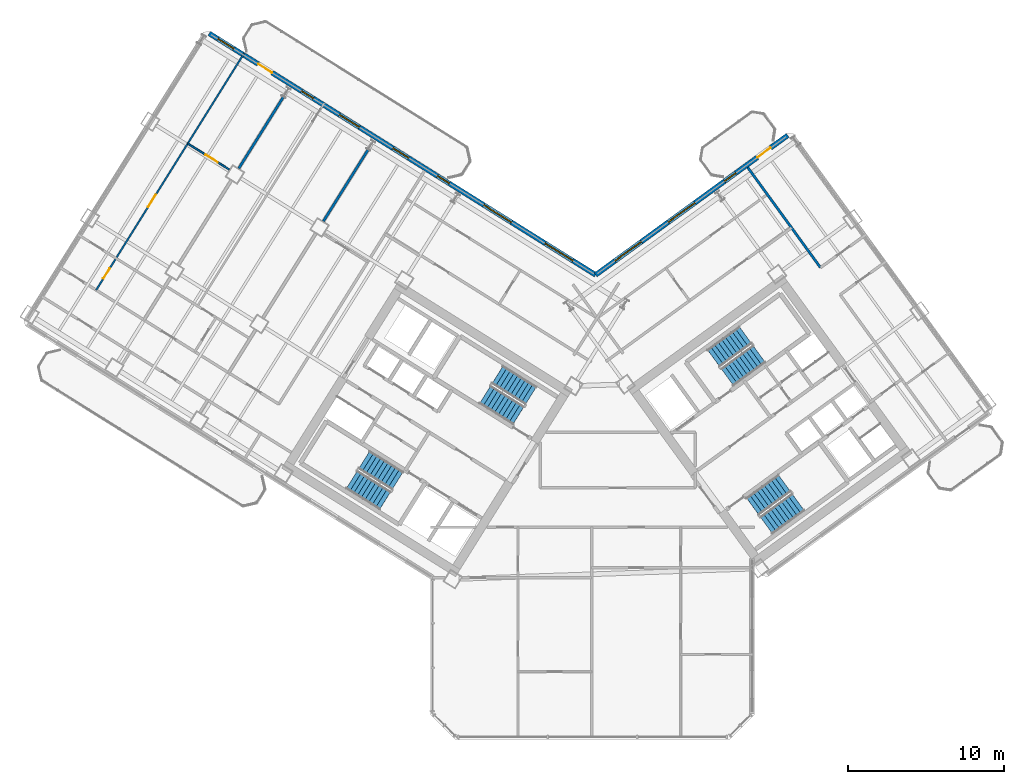
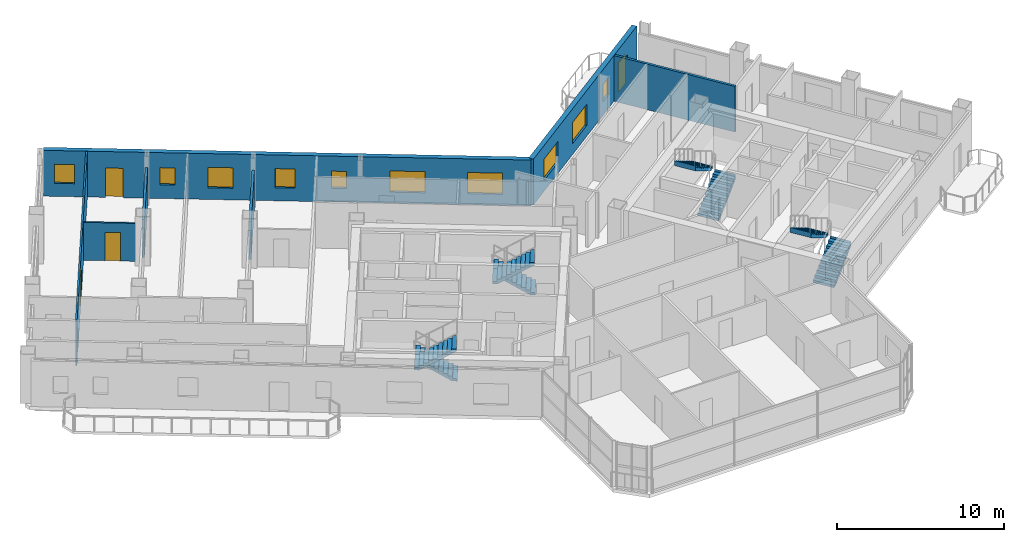
# One storey, part 16 of 21: 10 windows, 8 stair flights, 7 walls, 5 doors, 15 openings, 4 elements without a shape of their own.
"""IFC4 building model written with IfcOpenShell, lengths in metres."""

from ifc_helpers import new_model, si_unit, direction, frame, frame_2d, origin, place, context, subcontext, project, spatial, polyline, rectangle, outline, extrude, source, transform, mapped, material, layer, layer_set, type_object, element, fill, aggregate, save


model = new_model("IFC4")

# Units and contexts
model_context = context("Model", 3, precision=1e-05, world=origin(), true_north=direction((0.0, 1.0)))
body_context = subcontext(model_context, "Body", "Model", "MODEL_VIEW")
ifc_project = project(units=[si_unit("LENGTHUNIT", "METRE"), si_unit("AREAUNIT", "SQUARE_METRE"), si_unit("VOLUMEUNIT", "CUBIC_METRE"), si_unit("PLANEANGLEUNIT", "RADIAN"), si_unit("MASSUNIT", "GRAM", prefix="KILO")], contexts=[model_context])

# Site, building, storey
site_placement = place(None, origin())
site = spatial("IfcSite", under=ifc_project, at=site_placement, CompositionType="ELEMENT")
building_placement = place(site_placement, origin())
building = spatial("IfcBuilding", under=site, at=building_placement, Name="Tlacorven Tower", CompositionType="ELEMENT")
storey_placement = place(building_placement, frame((0.0, 0.0, 105.300048828125)))
storey = spatial("IfcBuildingStorey", under=building, at=storey_placement, Name="L26", CompositionType="ELEMENT", Elevation=105.300048828125)

# Walls
ifc_material_1 = material(Name="Gypsum plasterboard acoustic partition", Category="gypsum")
ifc_layer_1 = layer(ifc_material_1, 0.159912109375)
ifc_layer_set_1 = layer_set([ifc_layer_1], Name="Gypsum plasterboard acoustic partition")
wall_type_1 = type_object("IfcWallType", Name="WL-DEM-160", PredefinedType="PARTITIONING", material=ifc_layer_set_1)
for number, where, z_axis, x_axis, name in (
    (1, (27.607421875, 39.614990234375, 0.0), (0.0, 0.0, 1.0), (-0.529913610495, -0.848051628978, 0.0), "L26 WS Demising Wall 1"),
    (2, (22.179931640625, 43.00634765625, 0.0), (0.0, 0.0, 1.0), (-0.529913610495, -0.848051628978, 0.0), "L26 WS Demising Wall 2"),
):
    element("IfcWall", number, at=place(storey_placement, frame(where, z_axis=z_axis, x_axis=x_axis)), inside=storey, type_object=wall_type_1, Name=name, PredefinedType="PARTITIONING", context=body_context, shape_type="SweptSolid", body=[
        extrude(rectangle(XDim=5.40087890625, YDim=0.159912109375, at=frame_2d((2.700439453125, 0.0))), origin(), (0.0, 0.0, 1.0), 2.77490234375),
    ])
wall_1_placement = place(storey_placement, frame((56.626708984375, 32.06201171875, 0.0), z_axis=(0.0, 0.0, 1.0), x_axis=(-0.587769918433, 0.809028134854, 0.0)))
element("IfcWall", 3, at=wall_1_placement, inside=storey, type_object=wall_type_1, Name="L26 partition 93", PredefinedType="PARTITIONING", context=body_context, shape_type="SweptSolid", body=[
    extrude(rectangle(XDim=7.9501953125, YDim=0.159912109375, at=frame_2d((3.97509765625, 0.0))), origin(), (0.0, 0.0, 1.0), 3.33984375),
])

# Wall, openings, door, windows
ifc_material_2 = material(Name="Precast concrete C45/55", Category="concrete")
ifc_layer_2 = layer(ifc_material_2, 0.320068359375)
ifc_layer_set_2 = layer_set([ifc_layer_2], Name="Precast concrete C45/55")
wall_type_2 = type_object("IfcWallType", Name="WL-EXT-320", PredefinedType="STANDARD", material=ifc_layer_set_2)
wall_2_placement = place(storey_placement, frame((17.423828125, 47.083251953125, 0.0), z_axis=(0.0, 0.0, 1.0), x_axis=(0.848049927979, -0.529916332693, 0.0)))
wall_2 = element("IfcWall", 4, at=wall_2_placement, inside=storey, type_object=wall_type_2, Name="L26 Masonry-Frame Recessed Facade Wall 3", PredefinedType="STANDARD", context=body_context, shape_type="SweptSolid", body=[
    extrude(rectangle(XDim=29.22314453125, YDim=0.320068359375, at=frame_2d((14.611572265625, 0.0))), origin(), (0.0, 0.0, 1.0), 3.349853515625),
])
opening_1_placement = place(wall_2_placement, frame((3.708740234375, 0.0, 0.0)))
opening_1 = element("IfcOpeningElement", 5, at=opening_1_placement, cuts=wall_2, Name="Opening D06", PredefinedType="OPENING", context=body_context, shape_type="SweptSolid", body=[
    extrude(rectangle(XDim=1.050048828125, YDim=2.14990234375, at=frame_2d((0.52490234375, 1.074951171875))), frame((0.0, 0.169921875, 0.0), z_axis=(0.0, -1.0, 0.0), x_axis=(1.0, 0.0, 0.0)), (0.0, 0.0, 1.0), 0.340087890625),
])
opening_2_placement = place(wall_2_placement, frame((0.659423828125, 0.0, 0.949951171875)))
opening_2 = element("IfcOpeningElement", 6, at=opening_2_placement, cuts=wall_2, Name="Opening WN03", PredefinedType="OPENING", context=body_context, shape_type="SweptSolid", body=[
    extrude(rectangle(XDim=1.199951171875, YDim=1.39990234375, at=frame_2d((0.60009765625, 0.699951171875))), frame((0.0, 0.169921875, 0.0), z_axis=(0.0, -1.0, 0.0), x_axis=(1.0, 0.0, 0.0)), (0.0, 0.0, 1.0), 0.340087890625),
])
opening_3_placement = place(wall_2_placement, frame((6.97216796875, 0.0, 1.0)))
opening_3 = element("IfcOpeningElement", 7, at=opening_3_placement, cuts=wall_2, Name="Opening WN05", PredefinedType="OPENING", context=body_context, shape_type="SweptSolid", body=[
    extrude(rectangle(XDim=0.89990234375, YDim=1.25, at=frame_2d((0.449951171875, 0.625))), frame((0.0, 0.169921875, 0.0), z_axis=(0.0, -1.0, 0.0), x_axis=(1.0, 0.0, 0.0)), (0.0, 0.0, 1.0), 0.340087890625),
])
opening_4_placement = place(wall_2_placement, frame((9.84716796875, 0.0, 0.85009765625)))
opening_4 = element("IfcOpeningElement", 8, at=opening_4_placement, cuts=wall_2, Name="Opening WN02", PredefinedType="OPENING", context=body_context, shape_type="SweptSolid", body=[
    extrude(rectangle(XDim=1.5, YDim=1.5, at=frame_2d((0.75, 0.75))), frame((0.0, 0.169921875, 0.0), z_axis=(0.0, -1.0, 0.0), x_axis=(1.0, 0.0, 0.0)), (0.0, 0.0, 1.0), 0.340087890625),
])
opening_5_placement = place(wall_2_placement, frame((13.888671875, 0.0, 0.949951171875)))
opening_5 = element("IfcOpeningElement", 9, at=opening_5_placement, cuts=wall_2, Name="Opening WN03", PredefinedType="OPENING", context=body_context, shape_type="SweptSolid", body=[
    extrude(rectangle(XDim=1.199951171875, YDim=1.39990234375, at=frame_2d((0.60009765625, 0.699951171875))), frame((0.0, 0.169921875, 0.0), z_axis=(0.0, -1.0, 0.0), x_axis=(1.0, 0.0, 0.0)), (0.0, 0.0, 1.0), 0.340087890625),
])
opening_6_placement = place(wall_2_placement, frame((17.253662109375, 0.0, 1.0)))
opening_6 = element("IfcOpeningElement", 10, at=opening_6_placement, cuts=wall_2, Name="Opening WN05", PredefinedType="OPENING", context=body_context, shape_type="SweptSolid", body=[
    extrude(rectangle(XDim=0.89990234375, YDim=1.25, at=frame_2d((0.449951171875, 0.625))), frame((0.0, 0.169921875, 0.0), z_axis=(0.0, -1.0, 0.0), x_axis=(1.0, 0.0, 0.0)), (0.0, 0.0, 1.0), 0.340087890625),
])
opening_7_placement = place(wall_2_placement, frame((20.763671875, 0.0, 0.800048828125)))
opening_7 = element("IfcOpeningElement", 11, at=opening_7_placement, cuts=wall_2, Name="Opening WN04", PredefinedType="OPENING", context=body_context, shape_type="SweptSolid", body=[
    extrude(rectangle(XDim=2.10009765625, YDim=1.550048828125, at=frame_2d((1.050048828125, 0.77490234375))), frame((0.0, 0.169921875, 0.0), z_axis=(0.0, -1.0, 0.0), x_axis=(1.0, 0.0, 0.0)), (0.0, 0.0, 1.0), 0.340087890625),
])
opening_8_placement = place(wall_2_placement, frame((25.4033203125, 0.0, 0.800048828125)))
opening_8 = element("IfcOpeningElement", 12, at=opening_8_placement, cuts=wall_2, Name="Opening WN04", PredefinedType="OPENING", context=body_context, shape_type="SweptSolid", body=[
    extrude(rectangle(XDim=2.10009765625, YDim=1.550048828125, at=frame_2d((1.050048828125, 0.77490234375))), frame((0.0, 0.169921875, 0.0), z_axis=(0.0, -1.0, 0.0), x_axis=(1.0, 0.0, 0.0)), (0.0, 0.0, 1.0), 0.340087890625),
])
ifc_material_3 = material(Name="Powder-coated aluminium and timber door", Category="wood")
door_type_1 = type_object("IfcDoorType", Name="DR-EXT-BALC-1050", OperationType="NOTDEFINED", PredefinedType="DOOR", material=ifc_material_3)
shared_shape_1 = source(origin(), body_context, "Body", "SweptSolid", [
    extrude(rectangle(XDim=1.050048828125, YDim=2.14990234375, at=frame_2d((0.52490234375, 1.074951171875))), frame((0.0, 0.02490234375, 0.0), z_axis=(0.0, -1.0, 0.0), x_axis=(1.0, 0.0, 0.0)), (0.0, 0.0, 1.0), 0.050048828125),
])
door_1_placement = place(opening_1_placement, origin())
door_1 = element("IfcDoor", 13, at=door_1_placement, inside=storey, type_object=door_type_1, Name="L26 Outdoor Access Door BAL-L26-W-IN", OperationType="SINGLE_SWING_RIGHT", OverallHeight=2.14990234375, OverallWidth=1.050048828125, PredefinedType="DOOR", context=body_context, shape_type="MappedRepresentation", body=[
    mapped(shared_shape_1, transform((0.0, 0.0, 0.0), scale=1.0)),
])
fill(opening_1, door_1)
ifc_material_4 = material(Name="Dark solar low-E double glazing in anodised aluminium frame", Category="aluminium")
window_type_1 = type_object("IfcWindowType", Name="WN-APT-2100X1750", PartitioningType="SINGLE_PANEL", PredefinedType="WINDOW", material=ifc_material_4)
shared_shape_2 = source(origin(), body_context, "Body", "SweptSolid", [
    extrude(rectangle(XDim=2.10009765625, YDim=1.550048828125, at=frame_2d((1.050048828125, 0.77490234375))), frame((0.0, 0.030029296875, 0.0), z_axis=(0.0, -1.0, 0.0), x_axis=(1.0, 0.0, 0.0)), (0.0, 0.0, 1.0), 0.06005859375),
])
window_1_placement = place(opening_7_placement, origin())
window_1 = element("IfcWindow", 14, at=window_1_placement, inside=storey, type_object=window_type_1, Name="L26 Recessed Masonry-Frame Window L26-03.6", OverallHeight=1.550048828125, OverallWidth=2.10009765625, PartitioningType="SINGLE_PANEL", PredefinedType="WINDOW", context=body_context, shape_type="MappedRepresentation", body=[
    mapped(shared_shape_2, transform((0.0, 0.0, 0.0), scale=1.0)),
])
fill(opening_7, window_1)
window_2_placement = place(opening_8_placement, origin())
window_2 = element("IfcWindow", 15, at=window_2_placement, inside=storey, type_object=window_type_1, Name="L26 Recessed Masonry-Frame Window L26-03.7", OverallHeight=1.550048828125, OverallWidth=2.10009765625, PartitioningType="SINGLE_PANEL", PredefinedType="WINDOW", context=body_context, shape_type="MappedRepresentation", body=[
    mapped(shared_shape_2, transform((0.0, 0.0, 0.0), scale=1.0)),
])
fill(opening_8, window_2)
window_type_2 = type_object("IfcWindowType", Name="WN-APT-1200X1500", PartitioningType="SINGLE_PANEL", PredefinedType="WINDOW", material=ifc_material_4)
shared_shape_3 = source(origin(), body_context, "Body", "SweptSolid", [
    extrude(rectangle(XDim=1.199951171875, YDim=1.39990234375, at=frame_2d((0.60009765625, 0.699951171875))), frame((0.0, 0.030029296875, 0.0), z_axis=(0.0, -1.0, 0.0), x_axis=(1.0, 0.0, 0.0)), (0.0, 0.0, 1.0), 0.06005859375),
])
window_3_placement = place(opening_2_placement, origin())
window_3 = element("IfcWindow", 16, at=window_3_placement, inside=storey, type_object=window_type_2, Name="L26 Recessed Masonry-Frame Window L26-03.1", OverallHeight=1.39990234375, OverallWidth=1.199951171875, PartitioningType="SINGLE_PANEL", PredefinedType="WINDOW", context=body_context, shape_type="MappedRepresentation", body=[
    mapped(shared_shape_3, transform((0.0, 0.0, 0.0), scale=1.0)),
])
fill(opening_2, window_3)
window_4_placement = place(opening_5_placement, origin())
window_4 = element("IfcWindow", 17, at=window_4_placement, inside=storey, type_object=window_type_2, Name="L26 Recessed Masonry-Frame Window L26-03.4", OverallHeight=1.39990234375, OverallWidth=1.199951171875, PartitioningType="SINGLE_PANEL", PredefinedType="WINDOW", context=body_context, shape_type="MappedRepresentation", body=[
    mapped(shared_shape_3, transform((0.0, 0.0, 0.0), scale=1.0)),
])
fill(opening_5, window_4)
window_type_3 = type_object("IfcWindowType", Name="WN-APT-1500X1650", PartitioningType="SINGLE_PANEL", PredefinedType="WINDOW", material=ifc_material_4)
shared_shape_4 = source(origin(), body_context, "Body", "SweptSolid", [
    extrude(rectangle(XDim=1.5, YDim=1.5, at=frame_2d((0.75, 0.75))), frame((0.0, 0.030029296875, 0.0), z_axis=(0.0, -1.0, 0.0), x_axis=(1.0, 0.0, 0.0)), (0.0, 0.0, 1.0), 0.06005859375),
])
window_5_placement = place(opening_4_placement, origin())
window_5 = element("IfcWindow", 18, at=window_5_placement, inside=storey, type_object=window_type_3, Name="L26 Recessed Masonry-Frame Window L26-03.3", OverallHeight=1.5, OverallWidth=1.5, PartitioningType="SINGLE_PANEL", PredefinedType="WINDOW", context=body_context, shape_type="MappedRepresentation", body=[
    mapped(shared_shape_4, transform((0.0, 0.0, 0.0), scale=1.0)),
])
fill(opening_4, window_5)
window_type_4 = type_object("IfcWindowType", Name="WN-APT-0900X1350", PartitioningType="SINGLE_PANEL", PredefinedType="WINDOW", material=ifc_material_4)
shared_shape_5 = source(origin(), body_context, "Body", "SweptSolid", [
    extrude(rectangle(XDim=0.89990234375, YDim=1.25, at=frame_2d((0.449951171875, 0.625))), frame((0.0, 0.030029296875, 0.0), z_axis=(0.0, -1.0, 0.0), x_axis=(1.0, 0.0, 0.0)), (0.0, 0.0, 1.0), 0.06005859375),
])
window_6_placement = place(opening_3_placement, origin())
window_6 = element("IfcWindow", 19, at=window_6_placement, inside=storey, type_object=window_type_4, Name="L26 Recessed Masonry-Frame Window L26-03.2", OverallHeight=1.25, OverallWidth=0.89990234375, PartitioningType="SINGLE_PANEL", PredefinedType="WINDOW", context=body_context, shape_type="MappedRepresentation", body=[
    mapped(shared_shape_5, transform((0.0, 0.0, 0.0), scale=1.0)),
])
fill(opening_3, window_6)
window_7_placement = place(opening_6_placement, origin())
window_7 = element("IfcWindow", 20, at=window_7_placement, inside=storey, type_object=window_type_4, Name="L26 Recessed Masonry-Frame Window L26-03.5", OverallHeight=1.25, OverallWidth=0.89990234375, PartitioningType="SINGLE_PANEL", PredefinedType="WINDOW", context=body_context, shape_type="MappedRepresentation", body=[
    mapped(shared_shape_5, transform((0.0, 0.0, 0.0), scale=1.0)),
])
fill(opening_6, window_7)

wall_3_placement = place(storey_placement, frame((42.20654296875, 31.597412109375, 0.0), z_axis=(0.0, 0.0, 1.0), x_axis=(0.809020333377, 0.587780656523, 0.0)))
wall_3 = element("IfcWall", 21, at=wall_3_placement, inside=storey, type_object=wall_type_2, Name="L26 Masonry-Frame Recessed Facade Wall 4", PredefinedType="STANDARD", context=body_context, shape_type="SweptSolid", body=[
    extrude(rectangle(XDim=15.222900390625, YDim=0.320068359375, at=frame_2d((7.611328125, 0.0))), origin(), (0.0, 0.0, 1.0), 3.349853515625),
])
opening_9_placement = place(wall_3_placement, frame((12.81982421875, 0.0, 0.0)))
opening_9 = element("IfcOpeningElement", 22, at=opening_9_placement, cuts=wall_3, Name="Opening D06", PredefinedType="OPENING", context=body_context, shape_type="SweptSolid", body=[
    extrude(rectangle(XDim=1.050048828125, YDim=2.14990234375, at=frame_2d((0.52490234375, 1.074951171875))), frame((0.0, 0.169921875, 0.0), z_axis=(0.0, -1.0, 0.0), x_axis=(1.0, 0.0, 0.0)), (0.0, 0.0, 1.0), 0.340087890625),
])
opening_10_placement = place(wall_3_placement, frame((1.52001953125, 0.0, 0.800048828125)))
opening_10 = element("IfcOpeningElement", 23, at=opening_10_placement, cuts=wall_3, Name="Opening WN04", PredefinedType="OPENING", context=body_context, shape_type="SweptSolid", body=[
    extrude(rectangle(XDim=2.10009765625, YDim=1.550048828125, at=frame_2d((1.050048828125, 0.77490234375))), frame((0.0, 0.169921875, 0.0), z_axis=(0.0, -1.0, 0.0), x_axis=(1.0, 0.0, 0.0)), (0.0, 0.0, 1.0), 0.340087890625),
])
opening_11_placement = place(wall_3_placement, frame((5.759521484375, 0.0, 0.800048828125)))
opening_11 = element("IfcOpeningElement", 24, at=opening_11_placement, cuts=wall_3, Name="Opening WN04", PredefinedType="OPENING", context=body_context, shape_type="SweptSolid", body=[
    extrude(rectangle(XDim=2.10009765625, YDim=1.550048828125, at=frame_2d((1.050048828125, 0.77490234375))), frame((0.0, 0.169921875, 0.0), z_axis=(0.0, -1.0, 0.0), x_axis=(1.0, 0.0, 0.0)), (0.0, 0.0, 1.0), 0.340087890625),
])
opening_12_placement = place(wall_3_placement, frame((10.219482421875, 0.0, 1.0)))
opening_12 = element("IfcOpeningElement", 25, at=opening_12_placement, cuts=wall_3, Name="Opening WN05", PredefinedType="OPENING", context=body_context, shape_type="SweptSolid", body=[
    extrude(rectangle(XDim=0.89990234375, YDim=1.25, at=frame_2d((0.449951171875, 0.625))), frame((0.0, 0.169921875, 0.0), z_axis=(0.0, -1.0, 0.0), x_axis=(1.0, 0.0, 0.0)), (0.0, 0.0, 1.0), 0.340087890625),
])
door_2_placement = place(opening_9_placement, origin())
door_2 = element("IfcDoor", 26, at=door_2_placement, inside=storey, type_object=door_type_1, Name="L26 Outdoor Access Door BAL-L26-E-IN", OperationType="SINGLE_SWING_RIGHT", OverallHeight=2.14990234375, OverallWidth=1.050048828125, PredefinedType="DOOR", context=body_context, shape_type="MappedRepresentation", body=[
    mapped(shared_shape_1, transform((0.0, 0.0, 0.0), scale=1.0)),
])
fill(opening_9, door_2)
window_8_placement = place(opening_10_placement, origin())
window_8 = element("IfcWindow", 27, at=window_8_placement, inside=storey, type_object=window_type_1, Name="L26 Recessed Masonry-Frame Window L26-04.1", OverallHeight=1.550048828125, OverallWidth=2.10009765625, PartitioningType="SINGLE_PANEL", PredefinedType="WINDOW", context=body_context, shape_type="MappedRepresentation", body=[
    mapped(shared_shape_2, transform((0.0, 0.0, 0.0), scale=1.0)),
])
fill(opening_10, window_8)
window_9_placement = place(opening_11_placement, origin())
window_9 = element("IfcWindow", 28, at=window_9_placement, inside=storey, type_object=window_type_1, Name="L26 Recessed Masonry-Frame Window L26-04.2", OverallHeight=1.550048828125, OverallWidth=2.10009765625, PartitioningType="SINGLE_PANEL", PredefinedType="WINDOW", context=body_context, shape_type="MappedRepresentation", body=[
    mapped(shared_shape_2, transform((0.0, 0.0, 0.0), scale=1.0)),
])
fill(opening_11, window_9)
window_10_placement = place(opening_12_placement, origin())
window_10 = element("IfcWindow", 29, at=window_10_placement, inside=storey, type_object=window_type_4, Name="L26 Recessed Masonry-Frame Window L26-04.3", OverallHeight=1.25, OverallWidth=0.89990234375, PartitioningType="SINGLE_PANEL", PredefinedType="WINDOW", context=body_context, shape_type="MappedRepresentation", body=[
    mapped(shared_shape_5, transform((0.0, 0.0, 0.0), scale=1.0)),
])
fill(opening_12, window_10)

# Wall, openings, doors
ifc_material_5 = material(Name="Gypsum plasterboard partition", Category="gypsum")
ifc_layer_3 = layer(ifc_material_5, 0.110107421875)
ifc_layer_set_3 = layer_set([ifc_layer_3], Name="Gypsum plasterboard partition")
wall_type_3 = type_object("IfcWallType", Name="WL-INT-110", PredefinedType="PARTITIONING", material=ifc_layer_set_3)
wall_4_placement = place(storey_placement, frame((19.669921875, 45.821044921875, 0.0), z_axis=(0.0, 0.0, 1.0), x_axis=(-0.529916887708, -0.848049581169, 0.0)))
wall_4 = element("IfcWall", 30, at=wall_4_placement, inside=storey, type_object=wall_type_3, Name="L26 partition 64", PredefinedType="PARTITIONING", context=body_context, shape_type="SweptSolid", body=[
    extrude(rectangle(XDim=17.919921875, YDim=0.110107421875, at=frame_2d((8.9599609375, 0.0))), origin(), (0.0, 0.0, 1.0), 3.33984375),
])
opening_13_placement = place(wall_4_placement, frame((16.280029296875, 0.0, 0.0)))
opening_13 = element("IfcOpeningElement", 31, at=opening_13_placement, cuts=wall_4, Name="Opening D22", PredefinedType="OPENING", context=body_context, shape_type="SweptSolid", body=[
    extrude(rectangle(XDim=0.780029296875, YDim=2.050048828125, at=frame_2d((0.39013671875, 1.02490234375))), frame((0.0, 0.06494140625, 0.0), z_axis=(0.0, -1.0, 0.0), x_axis=(1.0, 0.0, 0.0)), (0.0, 0.0, 1.0), 0.130126953125),
])
opening_14_placement = place(wall_4_placement, frame((10.71142578125, 0.0, 0.0)))
opening_14 = element("IfcOpeningElement", 32, at=opening_14_placement, cuts=wall_4, Name="Opening D12", PredefinedType="OPENING", context=body_context, shape_type="SweptSolid", body=[
    extrude(rectangle(XDim=0.919921875, YDim=2.080078125, at=frame_2d((0.4599609375, 1.0400390625))), frame((0.0, 0.06494140625, 0.0), z_axis=(0.0, -1.0, 0.0), x_axis=(1.0, 0.0, 0.0)), (0.0, 0.0, 1.0), 0.130126953125),
])
door_type_2 = type_object("IfcDoorType", Name="DR-INT-WET-0780", OperationType="NOTDEFINED", PredefinedType="DOOR", material=ifc_material_3)
shared_shape_6 = source(origin(), body_context, "Body", "SweptSolid", [
    extrude(rectangle(XDim=0.780029296875, YDim=2.050048828125, at=frame_2d((0.39013671875, 1.02490234375))), frame((0.0, 0.02490234375, 0.0), z_axis=(0.0, -1.0, 0.0), x_axis=(1.0, 0.0, 0.0)), (0.0, 0.0, 1.0), 0.050048828125),
])
door_3_placement = place(opening_13_placement, origin())
door_3 = element("IfcDoor", 33, at=door_3_placement, inside=storey, type_object=door_type_2, Name="L26 door 036", OperationType="SINGLE_SWING_LEFT", OverallHeight=2.050048828125, OverallWidth=0.780029296875, PredefinedType="DOOR", context=body_context, shape_type="MappedRepresentation", body=[
    mapped(shared_shape_6, transform((0.0, 0.0, 0.0), scale=1.0)),
])
fill(opening_13, door_3)
door_type_3 = type_object("IfcDoorType", Name="DR-INT-ROOM-0920", OperationType="NOTDEFINED", PredefinedType="DOOR", material=ifc_material_3)
shared_shape_7 = source(origin(), body_context, "Body", "SweptSolid", [
    extrude(rectangle(XDim=0.919921875, YDim=2.080078125, at=frame_2d((0.4599609375, 1.0400390625))), frame((0.0, 0.02490234375, 0.0), z_axis=(0.0, -1.0, 0.0), x_axis=(1.0, 0.0, 0.0)), (0.0, 0.0, 1.0), 0.050048828125),
])
door_4_placement = place(opening_14_placement, origin())
door_4 = element("IfcDoor", 34, at=door_4_placement, inside=storey, type_object=door_type_3, Name="L26 door 037", OperationType="SINGLE_SWING_RIGHT", OverallHeight=2.080078125, OverallWidth=0.919921875, PredefinedType="DOOR", context=body_context, shape_type="MappedRepresentation", body=[
    mapped(shared_shape_7, transform((0.0, 0.0, 0.0), scale=1.0)),
])
fill(opening_14, door_4)

# Wall, opening, door
wall_5_placement = place(storey_placement, frame((18.721923828125, 38.344482421875, 0.0), z_axis=(0.0, 0.0, 1.0), x_axis=(-0.84807647212, 0.529873850493, 0.0)))
wall_5 = element("IfcWall", 35, at=wall_5_placement, inside=storey, type_object=wall_type_3, Name="L26 partition 68", PredefinedType="PARTITIONING", context=body_context, shape_type="SweptSolid", body=[
    extrude(rectangle(XDim=3.157958984375, YDim=0.110107421875, at=frame_2d((1.5791015625, 0.0))), origin(), (0.0, 0.0, 1.0), 2.77490234375),
])
opening_15_placement = place(wall_5_placement, frame((0.887939453125, 0.0, 0.0)))
opening_15 = element("IfcOpeningElement", 36, at=opening_15_placement, cuts=wall_5, Name="Opening D12", PredefinedType="OPENING", context=body_context, shape_type="SweptSolid", body=[
    extrude(rectangle(XDim=0.919921875, YDim=2.080078125, at=frame_2d((0.4599609375, 1.0400390625))), frame((0.0, 0.06494140625, 0.0), z_axis=(0.0, -1.0, 0.0), x_axis=(1.0, 0.0, 0.0)), (0.0, 0.0, 1.0), 0.130126953125),
])
door_5_placement = place(opening_15_placement, origin())
door_5 = element("IfcDoor", 37, at=door_5_placement, inside=storey, type_object=door_type_3, Name="L26 door 038", OperationType="SINGLE_SWING_RIGHT", OverallHeight=2.080078125, OverallWidth=0.919921875, PredefinedType="DOOR", context=body_context, shape_type="MappedRepresentation", body=[
    mapped(shared_shape_7, transform((0.0, 0.0, 0.0), scale=1.0)),
])
fill(opening_15, door_5)

# Stair, stair flights
ifc_material_6 = material(Name="Concrete C40/50", Category="concrete")
stair_type = type_object("IfcStairType", Name="ST-CORE-DLG", PredefinedType="HALF_TURN_STAIR", material=ifc_material_6)
stair_1_placement = place(storey_placement, origin())
stair_1 = element("IfcStair", 38, at=stair_1_placement, inside=storey, type_object=stair_type, Name="L26 Protected Exit Stair West 1", PredefinedType="HALF_TURN_STAIR")
stair_flight_type = type_object("IfcStairFlightType", Name="SFL-RC-1380", PredefinedType="STRAIGHT", material=ifc_material_6)
shared_shape_8 = source(origin(), body_context, "Body", "SweptSolid", [
    extrude(outline(polyline([(-0.0029296875, -0.0029296875), (-0.0029296875, 0.179931640625), (0.280029296875, 0.179931640625), (0.280029296875, 0.360107421875), (0.56005859375, 0.360107421875), (0.56005859375, 0.5400390625), (0.840087890625, 0.5400390625), (0.840087890625, 0.719970703125), (1.1201171875, 0.719970703125), (1.1201171875, 0.89990234375), (1.39990234375, 0.89990234375), (1.39990234375, 1.080078125), (1.679931640625, 1.080078125), (1.679931640625, 1.260009765625), (1.9599609375, 1.260009765625), (1.9599609375, 1.43994140625), (2.239990234375, 1.43994140625), (2.239990234375, 1.6201171875), (2.52001953125, 1.6201171875), (2.52001953125, 1.800048828125), (2.52294921875, 1.800048828125), (2.52294921875, 1.429931640625), (2.52001953125, 1.429931640625), (0.295654296875, 0.0), (0.295654296875, -0.0029296875), (-0.0029296875, -0.0029296875)])), frame((0.0, 0.68994140625, 0.0), z_axis=(0.0, -1.0, 0.0), x_axis=(1.0, 0.0, 0.0)), (0.0, 0.0, 1.0), 1.3798828125),
])
stair_flight_1_placement = place(storey_placement, frame((29.499755859375, 18.39453125, 0.0), z_axis=(0.0, 0.0, 1.0), x_axis=(-0.848048096156, 0.529919264233, 0.0)))
stair_flight_1 = element("IfcStairFlight", 39, at=stair_flight_1_placement, type_object=stair_flight_type, Name="ST-W1 flight 1", NumberOfRisers=10, NumberOfTreads=9, PredefinedType="STRAIGHT", RiserHeight=0.18, TreadLength=0.28, context=body_context, shape_type="MappedRepresentation", body=[
    mapped(shared_shape_8, transform((0.0, 0.0, 0.0), scale=1.0)),
])
stair_flight_2_placement = place(storey_placement, frame((26.56787109375, 18.4580078125, 1.800048828125), z_axis=(0.0, 0.0, 1.0), x_axis=(0.848048096156, -0.529919264233, 0.0)))
stair_flight_2 = element("IfcStairFlight", 40, at=stair_flight_2_placement, type_object=stair_flight_type, Name="ST-W1 flight 2", NumberOfRisers=10, NumberOfTreads=9, PredefinedType="STRAIGHT", RiserHeight=0.18, TreadLength=0.28, context=body_context, shape_type="MappedRepresentation", body=[
    mapped(shared_shape_8, transform((0.0, 0.0, 0.0), scale=1.0)),
])
aggregate(stair_1, [stair_flight_1, stair_flight_2])

stair_2_placement = place(storey_placement, origin())
stair_2 = element("IfcStair", 41, at=stair_2_placement, inside=storey, type_object=stair_type, Name="L26 Protected Exit Stair West 2", PredefinedType="HALF_TURN_STAIR")
stair_flight_3_placement = place(storey_placement, frame((38.051513671875, 23.852294921875, 0.0), z_axis=(0.0, 0.0, 1.0), x_axis=(-0.848048096156, 0.529919264233, 0.0)))
stair_flight_3 = element("IfcStairFlight", 42, at=stair_flight_3_placement, type_object=stair_flight_type, Name="ST-W2 flight 1", NumberOfRisers=10, NumberOfTreads=9, PredefinedType="STRAIGHT", RiserHeight=0.18, TreadLength=0.28, context=body_context, shape_type="MappedRepresentation", body=[
    mapped(shared_shape_8, transform((0.0, 0.0, 0.0), scale=1.0)),
])
stair_flight_4_placement = place(storey_placement, frame((35.119384765625, 23.91552734375, 1.800048828125), z_axis=(0.0, 0.0, 1.0), x_axis=(0.848048096156, -0.529919264233, 0.0)))
stair_flight_4 = element("IfcStairFlight", 43, at=stair_flight_4_placement, type_object=stair_flight_type, Name="ST-W2 flight 2", NumberOfRisers=10, NumberOfTreads=9, PredefinedType="STRAIGHT", RiserHeight=0.18, TreadLength=0.28, context=body_context, shape_type="MappedRepresentation", body=[
    mapped(shared_shape_8, transform((0.0, 0.0, 0.0), scale=1.0)),
])
aggregate(stair_2, [stair_flight_3, stair_flight_4])

stair_3_placement = place(storey_placement, origin())
stair_3 = element("IfcStair", 44, at=stair_3_placement, inside=storey, type_object=stair_type, Name="L26 Protected Exit Stair East 1", PredefinedType="HALF_TURN_STAIR")
stair_flight_5_placement = place(storey_placement, frame((50.6533203125, 25.0400390625, 0.0), z_axis=(0.0, 0.0, 1.0), x_axis=(0.809016994375, 0.587785252292, 0.0)))
stair_flight_5 = element("IfcStairFlight", 45, at=stair_flight_5_placement, type_object=stair_flight_type, Name="ST-E1 flight 1", NumberOfRisers=10, NumberOfTreads=9, PredefinedType="STRAIGHT", RiserHeight=0.18, TreadLength=0.28, context=body_context, shape_type="MappedRepresentation", body=[
    mapped(shared_shape_8, transform((0.0, 0.0, 0.0), scale=1.0)),
])
stair_flight_6_placement = place(storey_placement, frame((51.810546875, 27.734619140625, 1.800048828125), z_axis=(0.0, 0.0, 1.0), x_axis=(-0.809016994375, -0.587785252292, 0.0)))
stair_flight_6 = element("IfcStairFlight", 46, at=stair_flight_6_placement, type_object=stair_flight_type, Name="ST-E1 flight 2", NumberOfRisers=10, NumberOfTreads=9, PredefinedType="STRAIGHT", RiserHeight=0.18, TreadLength=0.28, context=body_context, shape_type="MappedRepresentation", body=[
    mapped(shared_shape_8, transform((0.0, 0.0, 0.0), scale=1.0)),
])
aggregate(stair_3, [stair_flight_5, stair_flight_6])

stair_4_placement = place(storey_placement, origin())
stair_4 = element("IfcStair", 47, at=stair_4_placement, inside=storey, type_object=stair_type, Name="L26 Protected Exit Stair East 2", PredefinedType="HALF_TURN_STAIR")
stair_flight_7_placement = place(storey_placement, frame((53.157470703125, 15.536865234375, 0.0), z_axis=(0.0, 0.0, 1.0), x_axis=(0.809016994375, 0.587785252292, 0.0)))
stair_flight_7 = element("IfcStairFlight", 48, at=stair_flight_7_placement, type_object=stair_flight_type, Name="ST-E2 flight 1", NumberOfRisers=10, NumberOfTreads=9, PredefinedType="STRAIGHT", RiserHeight=0.18, TreadLength=0.28, context=body_context, shape_type="MappedRepresentation", body=[
    mapped(shared_shape_8, transform((0.0, 0.0, 0.0), scale=1.0)),
])
stair_flight_8_placement = place(storey_placement, frame((54.314453125, 18.231689453125, 1.800048828125), z_axis=(0.0, 0.0, 1.0), x_axis=(-0.809016994375, -0.587785252292, 0.0)))
stair_flight_8 = element("IfcStairFlight", 49, at=stair_flight_8_placement, type_object=stair_flight_type, Name="ST-E2 flight 2", NumberOfRisers=10, NumberOfTreads=9, PredefinedType="STRAIGHT", RiserHeight=0.18, TreadLength=0.28, context=body_context, shape_type="MappedRepresentation", body=[
    mapped(shared_shape_8, transform((0.0, 0.0, 0.0), scale=1.0)),
])
aggregate(stair_4, [stair_flight_7, stair_flight_8])

save(model, "model.ifc")
